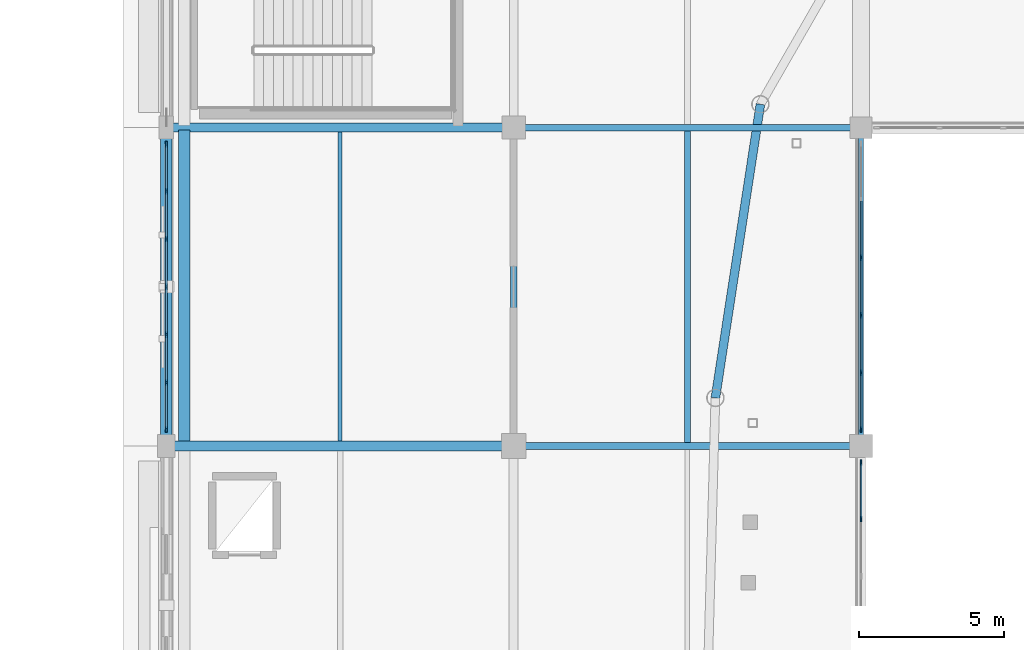
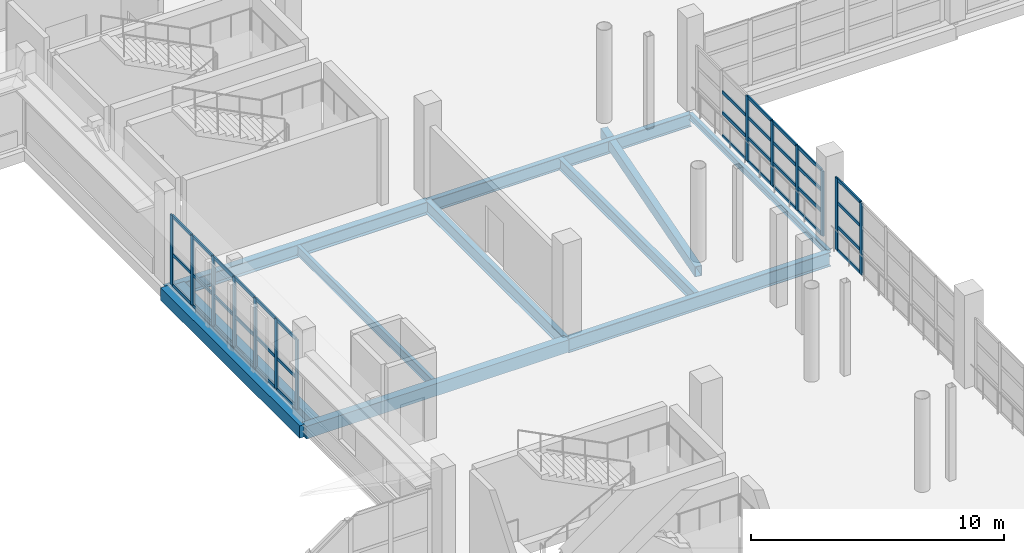
# One storey, part 39 of 118: 50 members, 11 beams, 3 elements without a shape of their own.
"""IFC4 building model written with IfcOpenShell, lengths in metres."""

import ifcopenshell
import ifcopenshell.guid

model = None  # the IFC model being written
_history = None  # IfcOwnerHistory: only IFC2X3 demands one
_inside = {}  # id of a spatial element -> (the spatial element, [elements in it])
_under = {}  # id of a project, library or spatial element -> (it, [spatial elements below it])
_declared = {}  # id of a project -> (the project, [libraries it declares])
_typed = {}  # id of a type object -> (the type object, [elements of that type])
_made_of = {}  # id of a material, layer set ... -> (it, [elements and type objects made of it])


def new_model(schema):
    """Start an empty IFC model of exactly this schema.

    Asked for "IFC4X3", IfcOpenShell would pick the latest addendum, in which some entities
    have other attributes; the version numbers below select the first issue.
    IFC2X3 requires an IfcOwnerHistory on every rooted entity: one is made here for all.
    """
    global model, _history
    if schema == "IFC4X3":
        model = ifcopenshell.file(schema_version=(4, 3, 0, 0))
    else:
        model = ifcopenshell.file(schema=schema)
    _inside.clear()
    _under.clear()
    _declared.clear()
    _typed.clear()
    _made_of.clear()
    _history = None
    if model.schema == "IFC2X3":
        org = make("IfcOrganization", Name="unknown")
        user = make(
            "IfcPersonAndOrganization",
            ThePerson=make("IfcPerson", FamilyName="unknown"),
            TheOrganization=org,
        )
        app = make(
            "IfcApplication",
            ApplicationDeveloper=org,
            Version="unknown",
            ApplicationFullName="unknown",
            ApplicationIdentifier="unknown",
        )
        _history = make(
            "IfcOwnerHistory",
            OwningUser=user,
            OwningApplication=app,
            ChangeAction="ADDED",
            CreationDate=0,
        )
    return model


def make(cls, **values):
    """One entity of the class cls with the attributes given. An attribute that is None is left unset."""
    return model.create_entity(
        cls, **{name: value for name, value in values.items() if value is not None}
    )


def rooted(cls, **values):
    """An entity with a GlobalId (a new one), such as an element, a storey or a relation."""
    return make(cls, GlobalId=ifcopenshell.guid.new(), OwnerHistory=_history, **values)


def si_unit(unit_type, name, prefix=None):
    """IfcSIUnit, for example si_unit("LENGTHUNIT", "METRE", prefix="MILLI")."""
    return make("IfcSIUnit", UnitType=unit_type, Prefix=prefix, Name=name)


def assignment(units):
    """IfcUnitAssignment: the units of a project."""
    return None if units is None else make("IfcUnitAssignment", Units=units)


def point(xyz):
    """IfcCartesianPoint."""
    return None if xyz is None else make("IfcCartesianPoint", Coordinates=xyz)


def direction(xyz):
    """IfcDirection."""
    return None if xyz is None else make("IfcDirection", DirectionRatios=xyz)


def frame(location, z_axis=None, x_axis=None):
    """IfcAxis2Placement3D, a coordinate frame: its origin and axes. An axis left out is left unset."""
    return make(
        "IfcAxis2Placement3D",
        Location=point(location),
        Axis=direction(z_axis),
        RefDirection=direction(x_axis),
    )


def frame_2d(location, x_axis=None):
    """IfcAxis2Placement2D, a coordinate frame in the plane: its origin and x axis."""
    return make(
        "IfcAxis2Placement2D", Location=point(location), RefDirection=direction(x_axis)
    )


def origin():
    """The frame at (0, 0, 0) with its axes left unset."""
    return frame((0.0, 0.0, 0.0))


def origin_2d():
    """The frame at (0, 0) in the plane with its x axis left unset."""
    return frame_2d((0.0, 0.0))


def place(relative_to, where):
    """IfcLocalPlacement: puts the frame where relative to a parent placement (None: the world)."""
    return make(
        "IfcLocalPlacement", PlacementRelTo=relative_to, RelativePlacement=where
    )


def context(
    kind, dimensions, precision=None, world=None, true_north=None, identifier=None
):
    """IfcGeometricRepresentationContext, for example the 3D "Model" context."""
    return make(
        "IfcGeometricRepresentationContext",
        ContextIdentifier=identifier,
        ContextType=kind,
        CoordinateSpaceDimension=dimensions,
        Precision=precision,
        WorldCoordinateSystem=world,
        TrueNorth=true_north,
    )


def subcontext(parent, identifier, kind, view, scale=None):
    """IfcGeometricRepresentationSubContext, for example "Body" below "Model"."""
    return make(
        "IfcGeometricRepresentationSubContext",
        ContextIdentifier=identifier,
        ContextType=kind,
        ParentContext=parent,
        TargetScale=scale,
        TargetView=view,
    )


def project(units=None, contexts=None):
    """IfcProject with its units and contexts."""
    return rooted(
        "IfcProject",
        Name="project",
        RepresentationContexts=contexts,
        UnitsInContext=assignment(units),
    )


def spatial(cls, under=None, at=None, **own):
    """A site, building, storey or space (cls), placed at a placement, below another one or the project."""
    s = rooted(cls, ObjectPlacement=at, **own)
    if under is not None:
        _under.setdefault(under.id(), (under, []))[1].append(s)
    return s


def profile(cls, at=None, kind="AREA", **sizes):
    """A parametric profile (cls). Its sizes go by their IFC names, for example OverallWidth=200.0."""
    return make(cls, ProfileType=kind, Position=at, **sizes)


def rectangle(**sizes):
    """IfcRectangleProfileDef."""
    return profile("IfcRectangleProfileDef", **sizes)


def hollow_rectangle(**sizes):
    """IfcRectangleHollowProfileDef."""
    return profile("IfcRectangleHollowProfileDef", **sizes)


def i_section(**sizes):
    """IfcIShapeProfileDef."""
    return profile("IfcIShapeProfileDef", **sizes)


def extrude(swept, where, along, depth):
    """IfcExtrudedAreaSolid: the profile swept, set in the frame where, extruded along a direction by depth."""
    return make(
        "IfcExtrudedAreaSolid",
        SweptArea=swept,
        Position=where,
        ExtrudedDirection=direction(along),
        Depth=depth,
    )


def shape(context_of_items, identifier, shape_type, items):
    """IfcShapeRepresentation: the items that make up one representation, for example the "Body"."""
    return make(
        "IfcShapeRepresentation",
        ContextOfItems=context_of_items,
        RepresentationIdentifier=identifier,
        RepresentationType=shape_type,
        Items=items,
    )


def material(Name=None, Category=None):
    """IfcMaterial."""
    return make("IfcMaterial", Name=Name, Category=Category)


def material_profile(
    of_material, cross_section, Name=None, Category=None, Priority=None
):
    """IfcMaterialProfile: a cross section and its material."""
    return make(
        "IfcMaterialProfile",
        Name=Name,
        Material=of_material,
        Profile=cross_section,
        Priority=Priority,
        Category=Category,
    )


def profile_set(profiles, Name=None, composite=None):
    """IfcMaterialProfileSet."""
    return make(
        "IfcMaterialProfileSet",
        Name=Name,
        MaterialProfiles=profiles,
        CompositeProfile=composite,
    )


def made_of(thing, what):
    """Note that an element or type object is made of a material, layer set ...; save() writes the relation."""
    if what is not None:
        _made_of.setdefault(what.id(), (what, []))[1].append(thing)
    return thing


def type_object(cls, material=None, **own):
    """A type object (cls), such as IfcWallType, which elements share."""
    return made_of(rooted(cls, **own), material)


def element(
    cls,
    number,
    at=None,
    inside=None,
    cuts=None,
    type_object=None,
    material=None,
    context=None,
    identifier="Body",
    shape_type=None,
    held_by="IfcProductDefinitionShape",
    body=None,
    shapes=None,
    **own,
):
    """One element of the class cls, such as IfcWall. Its Tag is "e" and its number.

    at: its placement. inside: the storey or other place that contains it. cuts: it is an
    opening in that element (IfcRelVoidsElement). A single representation is given by context,
    identifier, shape_type and body (its items); several are given by shapes. held_by: the class
    of the entity that holds the representations. save() writes the other relations.
    """
    e = rooted(cls, Tag="e%d" % number, ObjectPlacement=at, **own)
    if body is not None:
        shapes = [shape(context, identifier, shape_type, body)]
    if shapes is not None:
        e.Representation = make(held_by, Representations=shapes)
    if inside is not None:
        _inside.setdefault(inside.id(), (inside, []))[1].append(e)
    if cuts is not None:
        rooted(
            "IfcRelVoidsElement", RelatingBuildingElement=cuts, RelatedOpeningElement=e
        )
    if type_object is not None:
        _typed.setdefault(type_object.id(), (type_object, []))[1].append(e)
    return made_of(e, material)


def aggregate(whole, parts):
    """IfcRelAggregates: a whole, such as a stair, and the parts it consists of."""
    return rooted("IfcRelAggregates", RelatingObject=whole, RelatedObjects=parts)


def save(model, path):
    """Write the relations noted so far, then the file.

    IfcRelAggregates (storeys below a building ...), IfcRelContainedInSpatialStructure (elements
    in a storey), IfcRelDefinesByType, IfcRelAssociatesMaterial and IfcRelDeclares: one each for
    every whole, place, type object, material and project.
    """
    for whole, parts in _under.values():
        aggregate(whole, parts)
    for where, things in _inside.values():
        rooted(
            "IfcRelContainedInSpatialStructure",
            RelatedElements=things,
            RelatingStructure=where,
        )
    for kind, things in _typed.values():
        rooted("IfcRelDefinesByType", RelatedObjects=things, RelatingType=kind)
    for what, things in _made_of.values():
        rooted("IfcRelAssociatesMaterial", RelatedObjects=things, RelatingMaterial=what)
    for by, libraries in _declared.values():
        rooted("IfcRelDeclares", RelatingContext=by, RelatedDefinitions=libraries)
    model.write(path)


model = new_model("IFC4")

# Units and contexts
model_context = context("Model", 3, precision=1e-05, world=origin(), true_north=direction((0.0, 1.0)))
body_context = subcontext(model_context, "Body", "Model", "MODEL_VIEW")
ifc_project = project(units=[si_unit("LENGTHUNIT", "METRE"), si_unit("AREAUNIT", "SQUARE_METRE"), si_unit("VOLUMEUNIT", "CUBIC_METRE"), si_unit("PLANEANGLEUNIT", "RADIAN"), si_unit("MASSUNIT", "GRAM", prefix="KILO")], contexts=[model_context])

# Site, building, storey
site_placement = place(None, origin())
site = spatial("IfcSite", under=ifc_project, at=site_placement, CompositionType="ELEMENT")
building_placement = place(site_placement, origin())
building = spatial("IfcBuilding", under=site, at=building_placement, Name="Luwafu Chhajja Arena", CompositionType="ELEMENT")
storey_placement = place(building_placement, frame((0.0, 0.0, 10.199951171875)))
storey = spatial("IfcBuildingStorey", under=building, at=storey_placement, Name="L02", CompositionType="ELEMENT", Elevation=10.199951171875)

# Beam
ifc_material_1 = material(Name="Concrete C35/45", Category="concrete")
ifc_material_profile_1 = material_profile(ifc_material_1, rectangle(XDim=0.35009765625, YDim=0.60009765625, at=origin_2d()), Name="RC 350x600")
ifc_profile_set_1 = profile_set([ifc_material_profile_1], Name="Concrete C35/45")
beam_type_1 = type_object("IfcBeamType", Name="Arcade Tie Beam RC 350x600", PredefinedType="BEAM", material=ifc_profile_set_1)
beam_1_placement = place(storey_placement, frame((34.0, 66.0, -0.68994140625), z_axis=(1.0, 0.0, 0.0), x_axis=(0.0, 1.0, 0.0)))
element("IfcBeam", 1, at=beam_1_placement, inside=storey, type_object=beam_type_1, Name="L02 Grid Beam 4-5/G", PredefinedType="BEAM", context=body_context, shape_type="SweptSolid", body=[
    extrude(rectangle(XDim=0.35009765625, YDim=0.60009765625, at=origin_2d()), origin(), (0.0, 0.0, 1.0), 12.0),
])

# Curtain wall, members
ifc_material_2 = material(Name="Anodised bronze aluminium", Category="aluminium")
curtain_wall_type_1 = type_object("IfcCurtainWallType", Name="Foyer Luwafu Street Curtain Wall", PredefinedType="USERDEFINED", material=ifc_material_2)
curtain_wall_1_placement = place(storey_placement, origin())
curtain_wall_1 = element("IfcCurtainWall", 2, at=curtain_wall_1_placement, inside=storey, type_object=curtain_wall_type_1, Name="L02 Curtain Wall CWG-L02-V03_06", ObjectType="CURTAIN WALL", PredefinedType="USERDEFINED")
ifc_material_profile_2 = material_profile(ifc_material_2, rectangle(XDim=0.06494140625, YDim=0.199951171875, at=origin_2d()), Name="CWM 65x200")
ifc_profile_set_2 = profile_set([ifc_material_profile_2], Name="Anodised bronze aluminium")
member_type_1 = type_object("IfcMemberType", Name="Bronze Curtain Wall Mullion 65x200", PredefinedType="MULLION", material=ifc_profile_set_2)
member_1_placement = place(storey_placement, frame((34.0, 66.572509765625, 0.030029296875), z_axis=(0.0, 0.0, 1.0), x_axis=(-1.0, 0.0, 0.0)))
member_1 = element("IfcMember", 3, at=member_1_placement, type_object=member_type_1, Name="CW-05 mullion 1", PredefinedType="MULLION", context=body_context, shape_type="SweptSolid", body=[
    extrude(rectangle(XDim=0.06494140625, YDim=0.199951171875, at=origin_2d()), origin(), (0.0, 0.0, 1.0), 3.375),
])
member_2_placement = place(storey_placement, frame((34.0, 68.193359375, 0.030029296875), z_axis=(0.0, 0.0, 1.0), x_axis=(-1.0, 0.0, 0.0)))
member_2 = element("IfcMember", 4, at=member_2_placement, type_object=member_type_1, Name="CW-05 mullion 2", PredefinedType="MULLION", context=body_context, shape_type="SweptSolid", body=[
    extrude(rectangle(XDim=0.06494140625, YDim=0.199951171875, at=origin_2d()), origin(), (0.0, 0.0, 1.0), 3.375),
])
member_3_placement = place(storey_placement, frame((34.0, 69.8466796875, 0.030029296875), z_axis=(0.0, 0.0, 1.0), x_axis=(-1.0, 0.0, 0.0)))
member_3 = element("IfcMember", 5, at=member_3_placement, type_object=member_type_1, Name="CW-05 mullion 3", PredefinedType="MULLION", context=body_context, shape_type="SweptSolid", body=[
    extrude(rectangle(XDim=0.06494140625, YDim=0.199951171875, at=origin_2d()), origin(), (0.0, 0.0, 1.0), 3.375),
])
member_4_placement = place(storey_placement, frame((34.0, 71.5, 0.030029296875), z_axis=(0.0, 0.0, 1.0), x_axis=(-1.0, 0.0, 0.0)))
member_4 = element("IfcMember", 6, at=member_4_placement, type_object=member_type_1, Name="CW-05 mullion 4", PredefinedType="MULLION", context=body_context, shape_type="SweptSolid", body=[
    extrude(rectangle(XDim=0.06494140625, YDim=0.199951171875, at=origin_2d()), origin(), (0.0, 0.0, 1.0), 3.375),
])
member_5_placement = place(storey_placement, frame((34.0, 73.1533203125, 0.030029296875), z_axis=(0.0, 0.0, 1.0), x_axis=(-1.0, 0.0, 0.0)))
member_5 = element("IfcMember", 7, at=member_5_placement, type_object=member_type_1, Name="CW-05 mullion 5", PredefinedType="MULLION", context=body_context, shape_type="SweptSolid", body=[
    extrude(rectangle(XDim=0.06494140625, YDim=0.199951171875, at=origin_2d()), origin(), (0.0, 0.0, 1.0), 3.375),
])
member_6_placement = place(storey_placement, frame((34.0, 74.806640625, 0.030029296875), z_axis=(0.0, 0.0, 1.0), x_axis=(-1.0, 0.0, 0.0)))
member_6 = element("IfcMember", 8, at=member_6_placement, type_object=member_type_1, Name="CW-05 mullion 6", PredefinedType="MULLION", context=body_context, shape_type="SweptSolid", body=[
    extrude(rectangle(XDim=0.06494140625, YDim=0.199951171875, at=origin_2d()), origin(), (0.0, 0.0, 1.0), 3.375),
])
member_7_placement = place(storey_placement, frame((34.0, 76.427490234375, 0.030029296875), z_axis=(0.0, 0.0, 1.0), x_axis=(-1.0, 0.0, 0.0)))
member_7 = element("IfcMember", 9, at=member_7_placement, type_object=member_type_1, Name="CW-05 mullion 7", PredefinedType="MULLION", context=body_context, shape_type="SweptSolid", body=[
    extrude(rectangle(XDim=0.06494140625, YDim=0.199951171875, at=origin_2d()), origin(), (0.0, 0.0, 1.0), 3.375),
])

curtain_wall_type_2 = type_object("IfcCurtainWallType", Name="Hospitality Ring Curtain Wall", PredefinedType="USERDEFINED", material=ifc_material_2)
curtain_wall_2_placement = place(storey_placement, origin())
curtain_wall_2 = element("IfcCurtainWall", 10, at=curtain_wall_2_placement, inside=storey, type_object=curtain_wall_type_2, Name="L02 Bowl Viewing Curtain Wall CWR-L02-18", ObjectType="CURTAIN WALL", PredefinedType="USERDEFINED")
member_8_placement = place(storey_placement, frame((58.0, 63.48095703125, 0.0), z_axis=(0.0, 0.0, 1.0), x_axis=(-1.0, 0.0, 0.0)))
member_8 = element("IfcMember", 11, at=member_8_placement, type_object=member_type_1, Name="CW-02 mullion 5", PredefinedType="MULLION", context=body_context, shape_type="SweptSolid", body=[
    extrude(rectangle(XDim=0.06494140625, YDim=0.199951171875, at=origin_2d()), origin(), (0.0, 0.0, 1.0), 3.469970703125),
])
member_9_placement = place(storey_placement, frame((58.0, 65.427490234375, 0.0), z_axis=(0.0, 0.0, 1.0), x_axis=(-1.0, 0.0, 0.0)))
member_9 = element("IfcMember", 12, at=member_9_placement, type_object=member_type_1, Name="CW-02 mullion 6", PredefinedType="MULLION", context=body_context, shape_type="SweptSolid", body=[
    extrude(rectangle(XDim=0.06494140625, YDim=0.199951171875, at=origin_2d()), origin(), (0.0, 0.0, 1.0), 3.469970703125),
])

curtain_wall_3_placement = place(storey_placement, origin())
curtain_wall_3 = element("IfcCurtainWall", 13, at=curtain_wall_3_placement, inside=storey, type_object=curtain_wall_type_2, Name="L02 Bowl Viewing Curtain Wall CWR-L02-19", ObjectType="CURTAIN WALL", PredefinedType="USERDEFINED")
member_10_placement = place(storey_placement, frame((58.0, 66.572509765625, 0.0), z_axis=(0.0, 0.0, 1.0), x_axis=(-1.0, 0.0, 0.0)))
member_10 = element("IfcMember", 14, at=member_10_placement, type_object=member_type_1, Name="CW-02 mullion 1", PredefinedType="MULLION", context=body_context, shape_type="SweptSolid", body=[
    extrude(rectangle(XDim=0.06494140625, YDim=0.199951171875, at=origin_2d()), origin(), (0.0, 0.0, 1.0), 3.14013671875),
])
member_11_placement = place(storey_placement, frame((58.0, 68.529052734375, 0.0), z_axis=(0.0, 0.0, 1.0), x_axis=(-1.0, 0.0, 0.0)))
member_11 = element("IfcMember", 15, at=member_11_placement, type_object=member_type_1, Name="CW-02 mullion 2", PredefinedType="MULLION", context=body_context, shape_type="SweptSolid", body=[
    extrude(rectangle(XDim=0.06494140625, YDim=0.199951171875, at=origin_2d()), origin(), (0.0, 0.0, 1.0), 3.14013671875),
])
member_12_placement = place(storey_placement, frame((58.0, 70.51806640625, 0.0), z_axis=(0.0, 0.0, 1.0), x_axis=(-1.0, 0.0, 0.0)))
member_12 = element("IfcMember", 16, at=member_12_placement, type_object=member_type_1, Name="CW-02 mullion 3", PredefinedType="MULLION", context=body_context, shape_type="SweptSolid", body=[
    extrude(rectangle(XDim=0.06494140625, YDim=0.199951171875, at=origin_2d()), origin(), (0.0, 0.0, 1.0), 3.14013671875),
])
member_13_placement = place(storey_placement, frame((58.0, 72.507080078125, 0.0), z_axis=(0.0, 0.0, 1.0), x_axis=(-1.0, 0.0, 0.0)))
member_13 = element("IfcMember", 17, at=member_13_placement, type_object=member_type_1, Name="CW-02 mullion 4", PredefinedType="MULLION", context=body_context, shape_type="SweptSolid", body=[
    extrude(rectangle(XDim=0.06494140625, YDim=0.199951171875, at=origin_2d()), origin(), (0.0, 0.0, 1.0), 3.14013671875),
])

# Member
ifc_material_profile_3 = material_profile(ifc_material_2, rectangle(XDim=0.06494140625, YDim=0.14990234375, at=origin_2d()), Name="CWT 65x150")
ifc_profile_set_3 = profile_set([ifc_material_profile_3], Name="Anodised bronze aluminium")
member_type_2 = type_object("IfcMemberType", Name="Bronze Curtain Wall Transom 65x150", PredefinedType="USERDEFINED", material=ifc_profile_set_3)
member_14_placement = place(storey_placement, frame((34.0, 66.60498046875, 0.0625), z_axis=(0.0, 1.0, 0.0), x_axis=(-1.0, 0.0, 0.0)))
member_14 = element("IfcMember", 18, at=member_14_placement, type_object=member_type_2, Name="CW-05 transom 1.1", ObjectType="TRANSOM", PredefinedType="USERDEFINED", context=body_context, shape_type="SweptSolid", body=[
    extrude(rectangle(XDim=0.06494140625, YDim=0.14990234375, at=origin_2d()), origin(), (0.0, 0.0, 1.0), 1.555908203125),
])

member_15_placement = place(storey_placement, frame((34.0, 66.60498046875, 1.532470703125), z_axis=(0.0, 1.0, 0.0), x_axis=(-1.0, 0.0, 0.0)))
member_15 = element("IfcMember", 19, at=member_15_placement, type_object=member_type_2, Name="CW-05 transom 1.2", ObjectType="TRANSOM", PredefinedType="USERDEFINED", context=body_context, shape_type="SweptSolid", body=[
    extrude(rectangle(XDim=0.06494140625, YDim=0.14990234375, at=origin_2d()), origin(), (0.0, 0.0, 1.0), 1.555908203125),
])

member_16_placement = place(storey_placement, frame((34.0, 66.60498046875, 3.37255859375), z_axis=(0.0, 1.0, 0.0), x_axis=(-1.0, 0.0, 0.0)))
member_16 = element("IfcMember", 20, at=member_16_placement, type_object=member_type_2, Name="CW-05 transom 1.3", ObjectType="TRANSOM", PredefinedType="USERDEFINED", context=body_context, shape_type="SweptSolid", body=[
    extrude(rectangle(XDim=0.06494140625, YDim=0.14990234375, at=origin_2d()), origin(), (0.0, 0.0, 1.0), 1.555908203125),
])

member_17_placement = place(storey_placement, frame((34.0, 68.225830078125, 0.0625), z_axis=(0.0, 1.0, 0.0), x_axis=(-1.0, 0.0, 0.0)))
member_17 = element("IfcMember", 21, at=member_17_placement, type_object=member_type_2, Name="CW-05 transom 2.1", ObjectType="TRANSOM", PredefinedType="USERDEFINED", context=body_context, shape_type="SweptSolid", body=[
    extrude(rectangle(XDim=0.06494140625, YDim=0.14990234375, at=origin_2d()), origin(), (0.0, 0.0, 1.0), 1.58837890625),
])

member_18_placement = place(storey_placement, frame((34.0, 68.225830078125, 1.532470703125), z_axis=(0.0, 1.0, 0.0), x_axis=(-1.0, 0.0, 0.0)))
member_18 = element("IfcMember", 22, at=member_18_placement, type_object=member_type_2, Name="CW-05 transom 2.2", ObjectType="TRANSOM", PredefinedType="USERDEFINED", context=body_context, shape_type="SweptSolid", body=[
    extrude(rectangle(XDim=0.06494140625, YDim=0.14990234375, at=origin_2d()), origin(), (0.0, 0.0, 1.0), 1.58837890625),
])

member_19_placement = place(storey_placement, frame((34.0, 68.225830078125, 3.37255859375), z_axis=(0.0, 1.0, 0.0), x_axis=(-1.0, 0.0, 0.0)))
member_19 = element("IfcMember", 23, at=member_19_placement, type_object=member_type_2, Name="CW-05 transom 2.3", ObjectType="TRANSOM", PredefinedType="USERDEFINED", context=body_context, shape_type="SweptSolid", body=[
    extrude(rectangle(XDim=0.06494140625, YDim=0.14990234375, at=origin_2d()), origin(), (0.0, 0.0, 1.0), 1.58837890625),
])

member_20_placement = place(storey_placement, frame((34.0, 69.879150390625, 0.0625), z_axis=(0.0, 1.0, 0.0), x_axis=(-1.0, 0.0, 0.0)))
member_20 = element("IfcMember", 24, at=member_20_placement, type_object=member_type_2, Name="CW-05 transom 3.1", ObjectType="TRANSOM", PredefinedType="USERDEFINED", context=body_context, shape_type="SweptSolid", body=[
    extrude(rectangle(XDim=0.06494140625, YDim=0.14990234375, at=origin_2d()), origin(), (0.0, 0.0, 1.0), 1.58837890625),
])

member_21_placement = place(storey_placement, frame((34.0, 69.879150390625, 1.532470703125), z_axis=(0.0, 1.0, 0.0), x_axis=(-1.0, 0.0, 0.0)))
member_21 = element("IfcMember", 25, at=member_21_placement, type_object=member_type_2, Name="CW-05 transom 3.2", ObjectType="TRANSOM", PredefinedType="USERDEFINED", context=body_context, shape_type="SweptSolid", body=[
    extrude(rectangle(XDim=0.06494140625, YDim=0.14990234375, at=origin_2d()), origin(), (0.0, 0.0, 1.0), 1.58837890625),
])

member_22_placement = place(storey_placement, frame((34.0, 69.879150390625, 3.37255859375), z_axis=(0.0, 1.0, 0.0), x_axis=(-1.0, 0.0, 0.0)))
member_22 = element("IfcMember", 26, at=member_22_placement, type_object=member_type_2, Name="CW-05 transom 3.3", ObjectType="TRANSOM", PredefinedType="USERDEFINED", context=body_context, shape_type="SweptSolid", body=[
    extrude(rectangle(XDim=0.06494140625, YDim=0.14990234375, at=origin_2d()), origin(), (0.0, 0.0, 1.0), 1.58837890625),
])

member_23_placement = place(storey_placement, frame((34.0, 71.532470703125, 0.0625), z_axis=(0.0, 1.0, 0.0), x_axis=(-1.0, 0.0, 0.0)))
member_23 = element("IfcMember", 27, at=member_23_placement, type_object=member_type_2, Name="CW-05 transom 4.1", ObjectType="TRANSOM", PredefinedType="USERDEFINED", context=body_context, shape_type="SweptSolid", body=[
    extrude(rectangle(XDim=0.06494140625, YDim=0.14990234375, at=origin_2d()), origin(), (0.0, 0.0, 1.0), 1.58837890625),
])

member_24_placement = place(storey_placement, frame((34.0, 71.532470703125, 1.532470703125), z_axis=(0.0, 1.0, 0.0), x_axis=(-1.0, 0.0, 0.0)))
member_24 = element("IfcMember", 28, at=member_24_placement, type_object=member_type_2, Name="CW-05 transom 4.2", ObjectType="TRANSOM", PredefinedType="USERDEFINED", context=body_context, shape_type="SweptSolid", body=[
    extrude(rectangle(XDim=0.06494140625, YDim=0.14990234375, at=origin_2d()), origin(), (0.0, 0.0, 1.0), 1.58837890625),
])

member_25_placement = place(storey_placement, frame((34.0, 71.532470703125, 3.37255859375), z_axis=(0.0, 1.0, 0.0), x_axis=(-1.0, 0.0, 0.0)))
member_25 = element("IfcMember", 29, at=member_25_placement, type_object=member_type_2, Name="CW-05 transom 4.3", ObjectType="TRANSOM", PredefinedType="USERDEFINED", context=body_context, shape_type="SweptSolid", body=[
    extrude(rectangle(XDim=0.06494140625, YDim=0.14990234375, at=origin_2d()), origin(), (0.0, 0.0, 1.0), 1.58837890625),
])

member_26_placement = place(storey_placement, frame((34.0, 73.185791015625, 0.0625), z_axis=(0.0, 1.0, 0.0), x_axis=(-1.0, 0.0, 0.0)))
member_26 = element("IfcMember", 30, at=member_26_placement, type_object=member_type_2, Name="CW-05 transom 5.1", ObjectType="TRANSOM", PredefinedType="USERDEFINED", context=body_context, shape_type="SweptSolid", body=[
    extrude(rectangle(XDim=0.06494140625, YDim=0.14990234375, at=origin_2d()), origin(), (0.0, 0.0, 1.0), 1.58837890625),
])

member_27_placement = place(storey_placement, frame((34.0, 73.185791015625, 1.532470703125), z_axis=(0.0, 1.0, 0.0), x_axis=(-1.0, 0.0, 0.0)))
member_27 = element("IfcMember", 31, at=member_27_placement, type_object=member_type_2, Name="CW-05 transom 5.2", ObjectType="TRANSOM", PredefinedType="USERDEFINED", context=body_context, shape_type="SweptSolid", body=[
    extrude(rectangle(XDim=0.06494140625, YDim=0.14990234375, at=origin_2d()), origin(), (0.0, 0.0, 1.0), 1.58837890625),
])

member_28_placement = place(storey_placement, frame((34.0, 73.185791015625, 3.37255859375), z_axis=(0.0, 1.0, 0.0), x_axis=(-1.0, 0.0, 0.0)))
member_28 = element("IfcMember", 32, at=member_28_placement, type_object=member_type_2, Name="CW-05 transom 5.3", ObjectType="TRANSOM", PredefinedType="USERDEFINED", context=body_context, shape_type="SweptSolid", body=[
    extrude(rectangle(XDim=0.06494140625, YDim=0.14990234375, at=origin_2d()), origin(), (0.0, 0.0, 1.0), 1.58837890625),
])

member_29_placement = place(storey_placement, frame((34.0, 74.839111328125, 0.0625), z_axis=(0.0, 1.0, 0.0), x_axis=(-1.0, 0.0, 0.0)))
member_29 = element("IfcMember", 33, at=member_29_placement, type_object=member_type_2, Name="CW-05 transom 6.1", ObjectType="TRANSOM", PredefinedType="USERDEFINED", context=body_context, shape_type="SweptSolid", body=[
    extrude(rectangle(XDim=0.06494140625, YDim=0.14990234375, at=origin_2d()), origin(), (0.0, 0.0, 1.0), 1.555908203125),
])

member_30_placement = place(storey_placement, frame((34.0, 74.839111328125, 1.532470703125), z_axis=(0.0, 1.0, 0.0), x_axis=(-1.0, 0.0, 0.0)))
member_30 = element("IfcMember", 34, at=member_30_placement, type_object=member_type_2, Name="CW-05 transom 6.2", ObjectType="TRANSOM", PredefinedType="USERDEFINED", context=body_context, shape_type="SweptSolid", body=[
    extrude(rectangle(XDim=0.06494140625, YDim=0.14990234375, at=origin_2d()), origin(), (0.0, 0.0, 1.0), 1.555908203125),
])

member_31_placement = place(storey_placement, frame((34.0, 74.839111328125, 3.37255859375), z_axis=(0.0, 1.0, 0.0), x_axis=(-1.0, 0.0, 0.0)))
member_31 = element("IfcMember", 35, at=member_31_placement, type_object=member_type_2, Name="CW-05 transom 6.3", ObjectType="TRANSOM", PredefinedType="USERDEFINED", context=body_context, shape_type="SweptSolid", body=[
    extrude(rectangle(XDim=0.06494140625, YDim=0.14990234375, at=origin_2d()), origin(), (0.0, 0.0, 1.0), 1.555908203125),
])

aggregate(curtain_wall_1, [member_1, member_2, member_3, member_4, member_5, member_6, member_7, member_14, member_15, member_16, member_17, member_18, member_19, member_20, member_21, member_22, member_23, member_24, member_25, member_26, member_27, member_28, member_29, member_30, member_31])

member_32_placement = place(storey_placement, frame((58.0, 63.513427734375, 0.032470703125), z_axis=(0.0, 1.0, 0.0), x_axis=(-1.0, 0.0, 0.0)))
member_32 = element("IfcMember", 36, at=member_32_placement, type_object=member_type_2, Name="CW-02 transom 5.1", ObjectType="TRANSOM", PredefinedType="USERDEFINED", context=body_context, shape_type="SweptSolid", body=[
    extrude(rectangle(XDim=0.06494140625, YDim=0.14990234375, at=origin_2d()), origin(), (0.0, 0.0, 1.0), 1.881591796875),
])

member_33_placement = place(storey_placement, frame((58.0, 63.513427734375, 1.150146484375), z_axis=(0.0, 1.0, 0.0), x_axis=(-1.0, 0.0, 0.0)))
member_33 = element("IfcMember", 37, at=member_33_placement, type_object=member_type_2, Name="CW-02 transom 5.2", ObjectType="TRANSOM", PredefinedType="USERDEFINED", context=body_context, shape_type="SweptSolid", body=[
    extrude(rectangle(XDim=0.06494140625, YDim=0.14990234375, at=origin_2d()), origin(), (0.0, 0.0, 1.0), 1.881591796875),
])

member_34_placement = place(storey_placement, frame((58.0, 63.513427734375, 2.31005859375), z_axis=(0.0, 1.0, 0.0), x_axis=(-1.0, 0.0, 0.0)))
member_34 = element("IfcMember", 38, at=member_34_placement, type_object=member_type_2, Name="CW-02 transom 5.3", ObjectType="TRANSOM", PredefinedType="USERDEFINED", context=body_context, shape_type="SweptSolid", body=[
    extrude(rectangle(XDim=0.06494140625, YDim=0.14990234375, at=origin_2d()), origin(), (0.0, 0.0, 1.0), 1.881591796875),
])

member_35_placement = place(storey_placement, frame((58.0, 63.513427734375, 3.437255859375), z_axis=(0.0, 1.0, 0.0), x_axis=(-1.0, 0.0, 0.0)))
member_35 = element("IfcMember", 39, at=member_35_placement, type_object=member_type_2, Name="CW-02 transom 5.4", ObjectType="TRANSOM", PredefinedType="USERDEFINED", context=body_context, shape_type="SweptSolid", body=[
    extrude(rectangle(XDim=0.06494140625, YDim=0.14990234375, at=origin_2d()), origin(), (0.0, 0.0, 1.0), 1.881591796875),
])

aggregate(curtain_wall_2, [member_8, member_9, member_32, member_33, member_34, member_35])

member_36_placement = place(storey_placement, frame((58.0, 66.60498046875, 0.032470703125), z_axis=(0.0, 1.0, 0.0), x_axis=(-1.0, 0.0, 0.0)))
member_36 = element("IfcMember", 40, at=member_36_placement, type_object=member_type_2, Name="CW-02 transom 1.1", ObjectType="TRANSOM", PredefinedType="USERDEFINED", context=body_context, shape_type="SweptSolid", body=[
    extrude(rectangle(XDim=0.06494140625, YDim=0.14990234375, at=origin_2d()), origin(), (0.0, 0.0, 1.0), 1.8916015625),
])

member_37_placement = place(storey_placement, frame((58.0, 66.60498046875, 1.150146484375), z_axis=(0.0, 1.0, 0.0), x_axis=(-1.0, 0.0, 0.0)))
member_37 = element("IfcMember", 41, at=member_37_placement, type_object=member_type_2, Name="CW-02 transom 1.2", ObjectType="TRANSOM", PredefinedType="USERDEFINED", context=body_context, shape_type="SweptSolid", body=[
    extrude(rectangle(XDim=0.06494140625, YDim=0.14990234375, at=origin_2d()), origin(), (0.0, 0.0, 1.0), 1.8916015625),
])

member_38_placement = place(storey_placement, frame((58.0, 66.60498046875, 2.14501953125), z_axis=(0.0, 1.0, 0.0), x_axis=(-1.0, 0.0, 0.0)))
member_38 = element("IfcMember", 42, at=member_38_placement, type_object=member_type_2, Name="CW-02 transom 1.3", ObjectType="TRANSOM", PredefinedType="USERDEFINED", context=body_context, shape_type="SweptSolid", body=[
    extrude(rectangle(XDim=0.06494140625, YDim=0.14990234375, at=origin_2d()), origin(), (0.0, 0.0, 1.0), 1.8916015625),
])

member_39_placement = place(storey_placement, frame((58.0, 66.60498046875, 3.107666015625), z_axis=(0.0, 1.0, 0.0), x_axis=(-1.0, 0.0, 0.0)))
member_39 = element("IfcMember", 43, at=member_39_placement, type_object=member_type_2, Name="CW-02 transom 1.4", ObjectType="TRANSOM", PredefinedType="USERDEFINED", context=body_context, shape_type="SweptSolid", body=[
    extrude(rectangle(XDim=0.06494140625, YDim=0.14990234375, at=origin_2d()), origin(), (0.0, 0.0, 1.0), 1.8916015625),
])

member_40_placement = place(storey_placement, frame((58.0, 68.5615234375, 0.032470703125), z_axis=(0.0, 1.0, 0.0), x_axis=(-1.0, 0.0, 0.0)))
member_40 = element("IfcMember", 44, at=member_40_placement, type_object=member_type_2, Name="CW-02 transom 2.1", ObjectType="TRANSOM", PredefinedType="USERDEFINED", context=body_context, shape_type="SweptSolid", body=[
    extrude(rectangle(XDim=0.06494140625, YDim=0.14990234375, at=origin_2d()), origin(), (0.0, 0.0, 1.0), 1.924072265625),
])

member_41_placement = place(storey_placement, frame((58.0, 68.5615234375, 1.150146484375), z_axis=(0.0, 1.0, 0.0), x_axis=(-1.0, 0.0, 0.0)))
member_41 = element("IfcMember", 45, at=member_41_placement, type_object=member_type_2, Name="CW-02 transom 2.2", ObjectType="TRANSOM", PredefinedType="USERDEFINED", context=body_context, shape_type="SweptSolid", body=[
    extrude(rectangle(XDim=0.06494140625, YDim=0.14990234375, at=origin_2d()), origin(), (0.0, 0.0, 1.0), 1.924072265625),
])

member_42_placement = place(storey_placement, frame((58.0, 68.5615234375, 2.14501953125), z_axis=(0.0, 1.0, 0.0), x_axis=(-1.0, 0.0, 0.0)))
member_42 = element("IfcMember", 46, at=member_42_placement, type_object=member_type_2, Name="CW-02 transom 2.3", ObjectType="TRANSOM", PredefinedType="USERDEFINED", context=body_context, shape_type="SweptSolid", body=[
    extrude(rectangle(XDim=0.06494140625, YDim=0.14990234375, at=origin_2d()), origin(), (0.0, 0.0, 1.0), 1.924072265625),
])

member_43_placement = place(storey_placement, frame((58.0, 68.5615234375, 3.107666015625), z_axis=(0.0, 1.0, 0.0), x_axis=(-1.0, 0.0, 0.0)))
member_43 = element("IfcMember", 47, at=member_43_placement, type_object=member_type_2, Name="CW-02 transom 2.4", ObjectType="TRANSOM", PredefinedType="USERDEFINED", context=body_context, shape_type="SweptSolid", body=[
    extrude(rectangle(XDim=0.06494140625, YDim=0.14990234375, at=origin_2d()), origin(), (0.0, 0.0, 1.0), 1.924072265625),
])

member_44_placement = place(storey_placement, frame((58.0, 70.550537109375, 0.032470703125), z_axis=(0.0, 1.0, 0.0), x_axis=(-1.0, 0.0, 0.0)))
member_44 = element("IfcMember", 48, at=member_44_placement, type_object=member_type_2, Name="CW-02 transom 3.1", ObjectType="TRANSOM", PredefinedType="USERDEFINED", context=body_context, shape_type="SweptSolid", body=[
    extrude(rectangle(XDim=0.06494140625, YDim=0.14990234375, at=origin_2d()), origin(), (0.0, 0.0, 1.0), 1.924072265625),
])

member_45_placement = place(storey_placement, frame((58.0, 70.550537109375, 1.150146484375), z_axis=(0.0, 1.0, 0.0), x_axis=(-1.0, 0.0, 0.0)))
member_45 = element("IfcMember", 49, at=member_45_placement, type_object=member_type_2, Name="CW-02 transom 3.2", ObjectType="TRANSOM", PredefinedType="USERDEFINED", context=body_context, shape_type="SweptSolid", body=[
    extrude(rectangle(XDim=0.06494140625, YDim=0.14990234375, at=origin_2d()), origin(), (0.0, 0.0, 1.0), 1.924072265625),
])

member_46_placement = place(storey_placement, frame((58.0, 70.550537109375, 2.14501953125), z_axis=(0.0, 1.0, 0.0), x_axis=(-1.0, 0.0, 0.0)))
member_46 = element("IfcMember", 50, at=member_46_placement, type_object=member_type_2, Name="CW-02 transom 3.3", ObjectType="TRANSOM", PredefinedType="USERDEFINED", context=body_context, shape_type="SweptSolid", body=[
    extrude(rectangle(XDim=0.06494140625, YDim=0.14990234375, at=origin_2d()), origin(), (0.0, 0.0, 1.0), 1.924072265625),
])

member_47_placement = place(storey_placement, frame((58.0, 70.550537109375, 3.107666015625), z_axis=(0.0, 1.0, 0.0), x_axis=(-1.0, 0.0, 0.0)))
member_47 = element("IfcMember", 51, at=member_47_placement, type_object=member_type_2, Name="CW-02 transom 3.4", ObjectType="TRANSOM", PredefinedType="USERDEFINED", context=body_context, shape_type="SweptSolid", body=[
    extrude(rectangle(XDim=0.06494140625, YDim=0.14990234375, at=origin_2d()), origin(), (0.0, 0.0, 1.0), 1.924072265625),
])

member_48_placement = place(storey_placement, frame((58.0, 72.53955078125, 0.032470703125), z_axis=(0.0, 1.0, 0.0), x_axis=(-1.0, 0.0, 0.0)))
member_48 = element("IfcMember", 52, at=member_48_placement, type_object=member_type_2, Name="CW-02 transom 4.1", ObjectType="TRANSOM", PredefinedType="USERDEFINED", context=body_context, shape_type="SweptSolid", body=[
    extrude(rectangle(XDim=0.06494140625, YDim=0.14990234375, at=origin_2d()), origin(), (0.0, 0.0, 1.0), 1.923828125),
])

member_49_placement = place(storey_placement, frame((58.0, 72.53955078125, 1.150146484375), z_axis=(0.0, 1.0, 0.0), x_axis=(-1.0, 0.0, 0.0)))
member_49 = element("IfcMember", 53, at=member_49_placement, type_object=member_type_2, Name="CW-02 transom 4.2", ObjectType="TRANSOM", PredefinedType="USERDEFINED", context=body_context, shape_type="SweptSolid", body=[
    extrude(rectangle(XDim=0.06494140625, YDim=0.14990234375, at=origin_2d()), origin(), (0.0, 0.0, 1.0), 1.923828125),
])

member_50_placement = place(storey_placement, frame((58.0, 72.53955078125, 2.14501953125), z_axis=(0.0, 1.0, 0.0), x_axis=(-1.0, 0.0, 0.0)))
member_50 = element("IfcMember", 54, at=member_50_placement, type_object=member_type_2, Name="CW-02 transom 4.3", ObjectType="TRANSOM", PredefinedType="USERDEFINED", context=body_context, shape_type="SweptSolid", body=[
    extrude(rectangle(XDim=0.06494140625, YDim=0.14990234375, at=origin_2d()), origin(), (0.0, 0.0, 1.0), 1.923828125),
])

aggregate(curtain_wall_3, [member_10, member_11, member_12, member_13, member_36, member_37, member_38, member_39, member_40, member_41, member_42, member_43, member_44, member_45, member_46, member_47, member_48, member_49, member_50])

# Beams
ifc_material_3 = material(Name="Steel S355", Category="steel")
ifc_material_profile_4 = material_profile(ifc_material_3, i_section(OverallWidth=0.165771484375, OverallDepth=0.306640625, WebThickness=0.006591796875, FlangeThickness=0.01171875, at=origin_2d()), Name="UB 305x165x46")
ifc_profile_set_4 = profile_set([ifc_material_profile_4], Name="Steel S355")
beam_type_2 = type_object("IfcBeamType", Name="Concourse Edge Spandrel Beam UB 305x165x46", PredefinedType="SPANDREL", material=ifc_profile_set_4)
beam_2_placement = place(storey_placement, frame((58.0, 66.0, -0.543212890625), z_axis=(0.0, 1.0, 0.0), x_axis=(-1.0, 0.0, 0.0)))
element("IfcBeam", 55, at=beam_2_placement, inside=storey, type_object=beam_type_2, Name="L02 Grid Beam 6/G-H", PredefinedType="SPANDREL", context=body_context, shape_type="SweptSolid", body=[
    extrude(i_section(OverallWidth=0.165771484375, OverallDepth=0.306640625, WebThickness=0.006591796875, FlangeThickness=0.01171875, at=origin_2d()), origin(), (0.0, 0.0, 1.0), 11.0),
])
ifc_material_profile_5 = material_profile(ifc_material_3, i_section(OverallWidth=0.15283203125, OverallDepth=0.45458984375, WebThickness=0.008056640625, FlangeThickness=0.01318359375, at=origin_2d()), Name="UB 457x152x60")
ifc_profile_set_5 = profile_set([ifc_material_profile_5], Name="Steel S355")
beam_type_3 = type_object("IfcBeamType", Name="Floor Joist UB 457x152x60", PredefinedType="JOIST", material=ifc_profile_set_5)
beam_3_placement = place(storey_placement, frame((40.0, 66.175048828125, -0.6171875), z_axis=(0.0, 1.0, 0.0), x_axis=(-1.0, 0.0, 0.0)))
element("IfcBeam", 56, at=beam_3_placement, inside=storey, type_object=beam_type_3, Name="L02 Secondary Joist 4-5/G", PredefinedType="JOIST", context=body_context, shape_type="SweptSolid", body=[
    extrude(i_section(OverallWidth=0.15283203125, OverallDepth=0.45458984375, WebThickness=0.008056640625, FlangeThickness=0.01318359375, at=origin_2d()), origin(), (0.0, 0.0, 1.0), 10.67138671875),
])
ifc_material_profile_6 = material_profile(ifc_material_3, i_section(OverallWidth=0.2099609375, OverallDepth=0.53662109375, WebThickness=0.0107421875, FlangeThickness=0.017333984375, at=origin_2d()), Name="UB 533x210x101")
ifc_profile_set_6 = profile_set([ifc_material_profile_6], Name="Steel S355")
beam_type_4 = type_object("IfcBeamType", Name="Floor Joist UB 533x210x101", PredefinedType="JOIST", material=ifc_profile_set_6)
beam_4_placement = place(storey_placement, frame((52.0, 66.126953125, -0.658203125), z_axis=(0.0, 1.0, 0.0), x_axis=(-1.0, 0.0, 0.0)))
element("IfcBeam", 57, at=beam_4_placement, inside=storey, type_object=beam_type_4, Name="L02 Secondary Joist 5-6/G", PredefinedType="JOIST", context=body_context, shape_type="SweptSolid", body=[
    extrude(i_section(OverallWidth=0.2099609375, OverallDepth=0.53662109375, WebThickness=0.0107421875, FlangeThickness=0.017333984375, at=origin_2d()), origin(), (0.0, 0.0, 1.0), 10.758544921875),
])
ifc_material_profile_7 = material_profile(ifc_material_3, hollow_rectangle(XDim=0.300048828125, YDim=0.5, WallThickness=0.02001953125, at=origin_2d()), Name="RHS 500x300x20")
ifc_profile_set_7 = profile_set([ifc_material_profile_7], Name="Steel S355")
beam_type_5 = type_object("IfcBeamType", Name="Pleated Drum Spandrel Beam RHS 500x300", PredefinedType="SPANDREL", material=ifc_profile_set_7)
beam_5_placement = place(storey_placement, frame((54.52392578125, 77.805908203125, -0.639892578125), z_axis=(-0.1515977802, -0.988442265911, 0.0), x_axis=(0.988442265911, -0.1515977802, 0.0)))
element("IfcBeam", 58, at=beam_5_placement, inside=storey, type_object=beam_type_5, Name="L02 Drum Ring Spandrel D14-D15", PredefinedType="SPANDREL", context=body_context, shape_type="SweptSolid", body=[
    extrude(hollow_rectangle(XDim=0.300048828125, YDim=0.5, WallThickness=0.02001953125, at=origin_2d()), origin(), (0.0, 0.0, 1.0), 10.263427734375),
])
ifc_material_profile_8 = material_profile(ifc_material_1, rectangle(XDim=0.39990234375, YDim=0.60009765625, at=origin_2d()), Name="RC 400x600")
ifc_profile_set_8 = profile_set([ifc_material_profile_8], Name="Concrete C35/45")
beam_type_6 = type_object("IfcBeamType", Name="Podium Perimeter Spandrel RC 400x600", PredefinedType="SPANDREL", material=ifc_profile_set_8)
beam_6_placement = place(storey_placement, frame((34.0, 66.0, -0.68994140625), z_axis=(0.0, 1.0, 0.0), x_axis=(-1.0, 0.0, 0.0)))
element("IfcBeam", 59, at=beam_6_placement, inside=storey, type_object=beam_type_6, Name="L02 Grid Beam 4/G-H", PredefinedType="SPANDREL", context=body_context, shape_type="SweptSolid", body=[
    extrude(rectangle(XDim=0.39990234375, YDim=0.60009765625, at=origin_2d()), origin(), (0.0, 0.0, 1.0), 11.0),
])
beam_7_placement = place(storey_placement, frame((34.6201171875, 66.080078125, -0.68994140625), z_axis=(0.0, 1.0, 0.0), x_axis=(-1.0, 0.0, 0.0)))
element("IfcBeam", 60, at=beam_7_placement, inside=storey, type_object=beam_type_6, Name="L02 Movement Joint MJ1E Seat Girder 06", PredefinedType="SPANDREL", context=body_context, shape_type="SweptSolid", body=[
    extrude(rectangle(XDim=0.39990234375, YDim=0.60009765625, at=origin_2d()), origin(), (0.0, 0.0, 1.0), 10.83984375),
])
ifc_material_profile_9 = material_profile(ifc_material_3, i_section(OverallWidth=0.253662109375, OverallDepth=0.68359375, WebThickness=0.012451171875, FlangeThickness=0.01904296875, at=origin_2d()), Name="UB 686x254x140")
ifc_profile_set_9 = profile_set([ifc_material_profile_9], Name="Steel S355")
beam_type_7 = type_object("IfcBeamType", Name="Steel Concourse Girder UB 686x254x140", PredefinedType="BEAM", material=ifc_profile_set_9)
beam_8_placement = place(storey_placement, frame((46.0, 66.0, -0.731689453125), z_axis=(1.0, 0.0, 0.0), x_axis=(0.0, 1.0, 0.0)))
element("IfcBeam", 61, at=beam_8_placement, inside=storey, type_object=beam_type_7, Name="L02 Grid Beam 5-6/G", PredefinedType="BEAM", context=body_context, shape_type="SweptSolid", body=[
    extrude(i_section(OverallWidth=0.253662109375, OverallDepth=0.68359375, WebThickness=0.012451171875, FlangeThickness=0.01904296875, at=origin_2d()), origin(), (0.0, 0.0, 1.0), 12.0),
])
ifc_material_profile_10 = material_profile(ifc_material_3, i_section(OverallWidth=0.30712890625, OverallDepth=0.6201171875, WebThickness=0.01416015625, FlangeThickness=0.023681640625, at=origin_2d()), Name="UB 610x305x179")
ifc_profile_set_10 = profile_set([ifc_material_profile_10], Name="Steel S355")
beam_type_8 = type_object("IfcBeamType", Name="Steel Hospitality Girder UB 610x305x179", PredefinedType="BEAM", material=ifc_profile_set_10)
beam_9_placement = place(storey_placement, frame((34.0, 77.0, -0.699951171875), z_axis=(1.0, 0.0, 0.0), x_axis=(0.0, 1.0, 0.0)))
element("IfcBeam", 62, at=beam_9_placement, inside=storey, type_object=beam_type_8, Name="L02 Grid Beam 4-5/H", PredefinedType="BEAM", context=body_context, shape_type="SweptSolid", body=[
    extrude(i_section(OverallWidth=0.30712890625, OverallDepth=0.6201171875, WebThickness=0.01416015625, FlangeThickness=0.023681640625, at=origin_2d()), origin(), (0.0, 0.0, 1.0), 12.0),
])
ifc_material_profile_11 = material_profile(ifc_material_3, i_section(OverallWidth=0.22900390625, OverallDepth=0.6123046875, WebThickness=0.011962890625, FlangeThickness=0.01953125, at=origin_2d()), Name="UB 610x229x125")
ifc_profile_set_11 = profile_set([ifc_material_profile_11], Name="Steel S355")
beam_type_9 = type_object("IfcBeamType", Name="Steel Mezzanine Girder UB 610x229x125", PredefinedType="BEAM", material=ifc_profile_set_11)
beam_10_placement = place(storey_placement, frame((46.0, 77.0, -0.696044921875), z_axis=(1.0, 0.0, 0.0), x_axis=(0.0, 1.0, 0.0)))
element("IfcBeam", 63, at=beam_10_placement, inside=storey, type_object=beam_type_9, Name="L02 Grid Beam 5-6/H", PredefinedType="BEAM", context=body_context, shape_type="SweptSolid", body=[
    extrude(i_section(OverallWidth=0.22900390625, OverallDepth=0.6123046875, WebThickness=0.011962890625, FlangeThickness=0.01953125, at=origin_2d()), origin(), (0.0, 0.0, 1.0), 12.0),
])
beam_11_placement = place(storey_placement, frame((46.0, 66.0, -0.696044921875), z_axis=(0.0, 1.0, 0.0), x_axis=(-1.0, 0.0, 0.0)))
element("IfcBeam", 64, at=beam_11_placement, inside=storey, type_object=beam_type_9, Name="L02 Grid Beam 5/G-H", PredefinedType="BEAM", context=body_context, shape_type="SweptSolid", body=[
    extrude(i_section(OverallWidth=0.22900390625, OverallDepth=0.6123046875, WebThickness=0.011962890625, FlangeThickness=0.01953125, at=origin_2d()), origin(), (0.0, 0.0, 1.0), 11.0),
])

save(model, "model.ifc")
